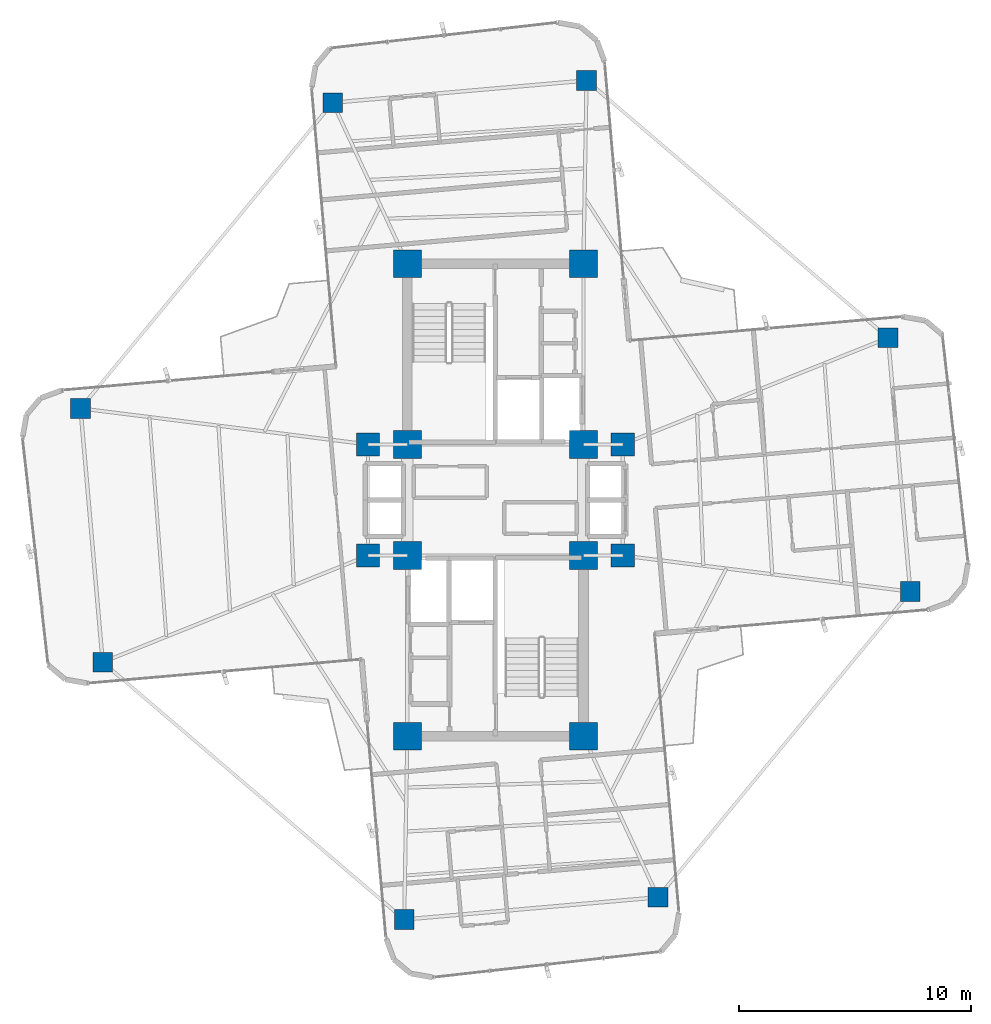
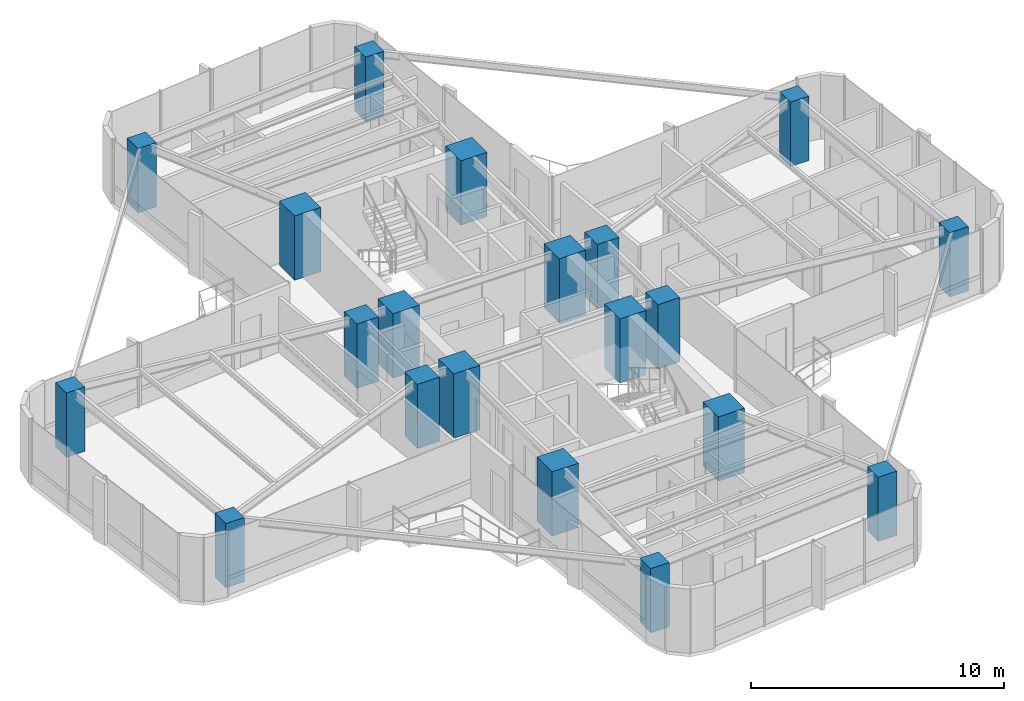
# One storey, part 1 of 24: 20 columns.
"""IFC4 building model written with IfcOpenShell, lengths in metres."""

import ifcopenshell
import ifcopenshell.guid

model = None  # the IFC model being written
_history = None  # IfcOwnerHistory: only IFC2X3 demands one
_inside = {}  # id of a spatial element -> (the spatial element, [elements in it])
_under = {}  # id of a project, library or spatial element -> (it, [spatial elements below it])
_declared = {}  # id of a project -> (the project, [libraries it declares])
_typed = {}  # id of a type object -> (the type object, [elements of that type])
_made_of = {}  # id of a material, layer set ... -> (it, [elements and type objects made of it])


def new_model(schema):
    """Start an empty IFC model of exactly this schema.

    Asked for "IFC4X3", IfcOpenShell would pick the latest addendum, in which some entities
    have other attributes; the version numbers below select the first issue.
    IFC2X3 requires an IfcOwnerHistory on every rooted entity: one is made here for all.
    """
    global model, _history
    if schema == "IFC4X3":
        model = ifcopenshell.file(schema_version=(4, 3, 0, 0))
    else:
        model = ifcopenshell.file(schema=schema)
    _inside.clear()
    _under.clear()
    _declared.clear()
    _typed.clear()
    _made_of.clear()
    _history = None
    if model.schema == "IFC2X3":
        org = make("IfcOrganization", Name="unknown")
        user = make(
            "IfcPersonAndOrganization",
            ThePerson=make("IfcPerson", FamilyName="unknown"),
            TheOrganization=org,
        )
        app = make(
            "IfcApplication",
            ApplicationDeveloper=org,
            Version="unknown",
            ApplicationFullName="unknown",
            ApplicationIdentifier="unknown",
        )
        _history = make(
            "IfcOwnerHistory",
            OwningUser=user,
            OwningApplication=app,
            ChangeAction="ADDED",
            CreationDate=0,
        )
    return model


def make(cls, **values):
    """One entity of the class cls with the attributes given. An attribute that is None is left unset."""
    return model.create_entity(
        cls, **{name: value for name, value in values.items() if value is not None}
    )


def rooted(cls, **values):
    """An entity with a GlobalId (a new one), such as an element, a storey or a relation."""
    return make(cls, GlobalId=ifcopenshell.guid.new(), OwnerHistory=_history, **values)


def si_unit(unit_type, name, prefix=None):
    """IfcSIUnit, for example si_unit("LENGTHUNIT", "METRE", prefix="MILLI")."""
    return make("IfcSIUnit", UnitType=unit_type, Prefix=prefix, Name=name)


def assignment(units):
    """IfcUnitAssignment: the units of a project."""
    return None if units is None else make("IfcUnitAssignment", Units=units)


def point(xyz):
    """IfcCartesianPoint."""
    return None if xyz is None else make("IfcCartesianPoint", Coordinates=xyz)


def direction(xyz):
    """IfcDirection."""
    return None if xyz is None else make("IfcDirection", DirectionRatios=xyz)


def frame(location, z_axis=None, x_axis=None):
    """IfcAxis2Placement3D, a coordinate frame: its origin and axes. An axis left out is left unset."""
    return make(
        "IfcAxis2Placement3D",
        Location=point(location),
        Axis=direction(z_axis),
        RefDirection=direction(x_axis),
    )


def frame_2d(location, x_axis=None):
    """IfcAxis2Placement2D, a coordinate frame in the plane: its origin and x axis."""
    return make(
        "IfcAxis2Placement2D", Location=point(location), RefDirection=direction(x_axis)
    )


def origin():
    """The frame at (0, 0, 0) with its axes left unset."""
    return frame((0.0, 0.0, 0.0))


def origin_2d():
    """The frame at (0, 0) in the plane with its x axis left unset."""
    return frame_2d((0.0, 0.0))


def place(relative_to, where):
    """IfcLocalPlacement: puts the frame where relative to a parent placement (None: the world)."""
    return make(
        "IfcLocalPlacement", PlacementRelTo=relative_to, RelativePlacement=where
    )


def context(
    kind, dimensions, precision=None, world=None, true_north=None, identifier=None
):
    """IfcGeometricRepresentationContext, for example the 3D "Model" context."""
    return make(
        "IfcGeometricRepresentationContext",
        ContextIdentifier=identifier,
        ContextType=kind,
        CoordinateSpaceDimension=dimensions,
        Precision=precision,
        WorldCoordinateSystem=world,
        TrueNorth=true_north,
    )


def subcontext(parent, identifier, kind, view, scale=None):
    """IfcGeometricRepresentationSubContext, for example "Body" below "Model"."""
    return make(
        "IfcGeometricRepresentationSubContext",
        ContextIdentifier=identifier,
        ContextType=kind,
        ParentContext=parent,
        TargetScale=scale,
        TargetView=view,
    )


def project(units=None, contexts=None):
    """IfcProject with its units and contexts."""
    return rooted(
        "IfcProject",
        Name="project",
        RepresentationContexts=contexts,
        UnitsInContext=assignment(units),
    )


def spatial(cls, under=None, at=None, **own):
    """A site, building, storey or space (cls), placed at a placement, below another one or the project."""
    s = rooted(cls, ObjectPlacement=at, **own)
    if under is not None:
        _under.setdefault(under.id(), (under, []))[1].append(s)
    return s


def profile(cls, at=None, kind="AREA", **sizes):
    """A parametric profile (cls). Its sizes go by their IFC names, for example OverallWidth=200.0."""
    return make(cls, ProfileType=kind, Position=at, **sizes)


def rectangle(**sizes):
    """IfcRectangleProfileDef."""
    return profile("IfcRectangleProfileDef", **sizes)


def extrude(swept, where, along, depth):
    """IfcExtrudedAreaSolid: the profile swept, set in the frame where, extruded along a direction by depth."""
    return make(
        "IfcExtrudedAreaSolid",
        SweptArea=swept,
        Position=where,
        ExtrudedDirection=direction(along),
        Depth=depth,
    )


def shape(context_of_items, identifier, shape_type, items):
    """IfcShapeRepresentation: the items that make up one representation, for example the "Body"."""
    return make(
        "IfcShapeRepresentation",
        ContextOfItems=context_of_items,
        RepresentationIdentifier=identifier,
        RepresentationType=shape_type,
        Items=items,
    )


def source(mapping_origin, context_of_items, identifier, shape_type, items):
    """IfcRepresentationMap: a shape defined once, which mapped items show again and again."""
    return make(
        "IfcRepresentationMap",
        MappingOrigin=mapping_origin,
        MappedRepresentation=shape(context_of_items, identifier, shape_type, items),
    )


def transform(
    local_origin,
    x_axis=None,
    y_axis=None,
    z_axis=None,
    scale=None,
    scale2=None,
    scale3=None,
    uniform=True,
):
    """IfcCartesianTransformationOperator3D, or its non-uniform kind. x_axis, y_axis, z_axis: its Axis1, 2, 3."""
    if uniform:
        return make(
            "IfcCartesianTransformationOperator3D",
            Axis1=direction(x_axis),
            Axis2=direction(y_axis),
            LocalOrigin=point(local_origin),
            Scale=scale,
            Axis3=direction(z_axis),
        )
    return make(
        "IfcCartesianTransformationOperator3DnonUniform",
        Axis1=direction(x_axis),
        Axis2=direction(y_axis),
        LocalOrigin=point(local_origin),
        Scale=scale,
        Axis3=direction(z_axis),
        Scale2=scale2,
        Scale3=scale3,
    )


def mapped(mapping_source, mapping_target):
    """IfcMappedItem: shows the shape of a source again, moved by a transform."""
    return make(
        "IfcMappedItem", MappingSource=mapping_source, MappingTarget=mapping_target
    )


def material(Name=None, Category=None):
    """IfcMaterial."""
    return make("IfcMaterial", Name=Name, Category=Category)


def material_profile(
    of_material, cross_section, Name=None, Category=None, Priority=None
):
    """IfcMaterialProfile: a cross section and its material."""
    return make(
        "IfcMaterialProfile",
        Name=Name,
        Material=of_material,
        Profile=cross_section,
        Priority=Priority,
        Category=Category,
    )


def profile_set(profiles, Name=None, composite=None):
    """IfcMaterialProfileSet."""
    return make(
        "IfcMaterialProfileSet",
        Name=Name,
        MaterialProfiles=profiles,
        CompositeProfile=composite,
    )


def made_of(thing, what):
    """Note that an element or type object is made of a material, layer set ...; save() writes the relation."""
    if what is not None:
        _made_of.setdefault(what.id(), (what, []))[1].append(thing)
    return thing


def type_object(cls, material=None, **own):
    """A type object (cls), such as IfcWallType, which elements share."""
    return made_of(rooted(cls, **own), material)


def element(
    cls,
    number,
    at=None,
    inside=None,
    cuts=None,
    type_object=None,
    material=None,
    context=None,
    identifier="Body",
    shape_type=None,
    held_by="IfcProductDefinitionShape",
    body=None,
    shapes=None,
    **own,
):
    """One element of the class cls, such as IfcWall. Its Tag is "e" and its number.

    at: its placement. inside: the storey or other place that contains it. cuts: it is an
    opening in that element (IfcRelVoidsElement). A single representation is given by context,
    identifier, shape_type and body (its items); several are given by shapes. held_by: the class
    of the entity that holds the representations. save() writes the other relations.
    """
    e = rooted(cls, Tag="e%d" % number, ObjectPlacement=at, **own)
    if body is not None:
        shapes = [shape(context, identifier, shape_type, body)]
    if shapes is not None:
        e.Representation = make(held_by, Representations=shapes)
    if inside is not None:
        _inside.setdefault(inside.id(), (inside, []))[1].append(e)
    if cuts is not None:
        rooted(
            "IfcRelVoidsElement", RelatingBuildingElement=cuts, RelatedOpeningElement=e
        )
    if type_object is not None:
        _typed.setdefault(type_object.id(), (type_object, []))[1].append(e)
    return made_of(e, material)


def aggregate(whole, parts):
    """IfcRelAggregates: a whole, such as a stair, and the parts it consists of."""
    return rooted("IfcRelAggregates", RelatingObject=whole, RelatedObjects=parts)


def save(model, path):
    """Write the relations noted so far, then the file.

    IfcRelAggregates (storeys below a building ...), IfcRelContainedInSpatialStructure (elements
    in a storey), IfcRelDefinesByType, IfcRelAssociatesMaterial and IfcRelDeclares: one each for
    every whole, place, type object, material and project.
    """
    for whole, parts in _under.values():
        aggregate(whole, parts)
    for where, things in _inside.values():
        rooted(
            "IfcRelContainedInSpatialStructure",
            RelatedElements=things,
            RelatingStructure=where,
        )
    for kind, things in _typed.values():
        rooted("IfcRelDefinesByType", RelatedObjects=things, RelatingType=kind)
    for what, things in _made_of.values():
        rooted("IfcRelAssociatesMaterial", RelatedObjects=things, RelatingMaterial=what)
    for by, libraries in _declared.values():
        rooted("IfcRelDeclares", RelatingContext=by, RelatedDefinitions=libraries)
    model.write(path)


model = new_model("IFC4")

# Units and contexts
model_context = context("Model", 3, precision=1e-05, world=origin(), true_north=direction((0.0, 1.0)))
body_context = subcontext(model_context, "Body", "Model", "MODEL_VIEW")
ifc_project = project(units=[si_unit("LENGTHUNIT", "METRE"), si_unit("AREAUNIT", "SQUARE_METRE"), si_unit("VOLUMEUNIT", "CUBIC_METRE"), si_unit("PLANEANGLEUNIT", "RADIAN"), si_unit("MASSUNIT", "GRAM", prefix="KILO")], contexts=[model_context])

# Site, building, storey
site_placement = place(None, origin())
site = spatial("IfcSite", under=ifc_project, at=site_placement, CompositionType="ELEMENT")
building_placement = place(site_placement, origin())
building = spatial("IfcBuilding", under=site, at=building_placement, Name="Sahyath Konkavel Grand Hotel", CompositionType="ELEMENT")
storey_placement = place(building_placement, frame((0.0, 0.0, 164.0)))
storey = spatial("IfcBuildingStorey", under=building, at=storey_placement, Name="L45", CompositionType="ELEMENT", Elevation=164.0)

# Columns
ifc_material_1 = material(Name="Concrete C50/60", Category="concrete")
ifc_material_profile_1 = material_profile(ifc_material_1, rectangle(XDim=1.199951171875, YDim=1.199951171875, at=origin_2d()), Name="RC 1200x1200")
ifc_profile_set_1 = profile_set([ifc_material_profile_1], Name="Concrete C50/60")
column_type_1 = type_object("IfcColumnType", Name="COL-RC1200", PredefinedType="COLUMN", material=ifc_profile_set_1)
shared_shape_1 = source(origin(), body_context, "Body", "SweptSolid", [
    extrude(rectangle(XDim=1.199951171875, YDim=1.199951171875, at=origin_2d()), origin(), (0.0, 0.0, 1.0), 3.110107421875),
])
for number, where, z_axis, x_axis, name in (
    (1, (-3.800048828125, 2.39990234375, 0.0), (0.0, 0.0, 1.0), (1.0, 0.0, 0.0), "L45 Core Boundary Column NC-SW"),
    (2, (3.800048828125, 2.39990234375, 0.0), (0.0, 0.0, 1.0), (1.0, 0.0, 0.0), "L45 Core Boundary Column NC-SE"),
    (3, (-3.800048828125, 10.199951171875, 0.0), (0.0, 0.0, 1.0), (1.0, 0.0, 0.0), "L45 Core Boundary Column NC-NW"),
    (4, (3.800048828125, 10.199951171875, 0.0), (0.0, 0.0, 1.0), (1.0, 0.0, 0.0), "L45 Core Boundary Column NC-NE"),
    (5, (-3.800048828125, -2.39990234375, 0.0), (0.0, 0.0, 1.0), (1.0, 0.0, 0.0), "L45 Core Boundary Column SC-NW"),
    (6, (3.800048828125, -2.39990234375, 0.0), (0.0, 0.0, 1.0), (1.0, 0.0, 0.0), "L45 Core Boundary Column SC-NE"),
    (7, (-3.800048828125, -10.199951171875, 0.0), (0.0, 0.0, 1.0), (1.0, 0.0, 0.0), "L45 Core Boundary Column SC-SW"),
    (8, (3.800048828125, -10.199951171875, 0.0), (0.0, 0.0, 1.0), (1.0, 0.0, 0.0), "L45 Core Boundary Column SC-SE"),
):
    element("IfcColumn", number, at=place(storey_placement, frame(where, z_axis=z_axis, x_axis=x_axis)), inside=storey, type_object=column_type_1, Name=name, PredefinedType="COLUMN", context=body_context, shape_type="MappedRepresentation", body=[
        mapped(shared_shape_1, transform((0.0, 0.0, 0.0), scale=1.0)),
    ])
ifc_material_profile_2 = material_profile(ifc_material_1, rectangle(XDim=1.0, YDim=1.0, at=origin_2d()), Name="RC 1000x1000")
ifc_profile_set_2 = profile_set([ifc_material_profile_2], Name="Concrete C50/60")
column_type_2 = type_object("IfcColumnType", Name="COL-RC1000", PredefinedType="COLUMN", material=ifc_profile_set_2)
shared_shape_2 = source(origin(), body_context, "Body", "SweptSolid", [
    extrude(rectangle(XDim=1.0, YDim=1.0, at=origin_2d()), origin(), (0.0, 0.0, 1.0), 3.110107421875),
])
for number, where, z_axis, x_axis, name in (
    (9, (5.5, 2.39990234375, 0.0), (0.0, 0.0, 1.0), (1.0, 0.0, 0.0), "L45 Central Spine Column HB-NE"),
    (10, (-5.5, 2.39990234375, 0.0), (0.0, 0.0, 1.0), (1.0, 0.0, 0.0), "L45 Central Spine Column HB-NW"),
    (11, (5.5, -2.39990234375, 0.0), (0.0, 0.0, 1.0), (1.0, 0.0, 0.0), "L45 Central Spine Column HB-SE"),
    (12, (-5.5, -2.39990234375, 0.0), (0.0, 0.0, 1.0), (1.0, 0.0, 0.0), "L45 Central Spine Column HB-SW"),
):
    element("IfcColumn", number, at=place(storey_placement, frame(where, z_axis=z_axis, x_axis=x_axis)), inside=storey, type_object=column_type_2, Name=name, PredefinedType="COLUMN", context=body_context, shape_type="MappedRepresentation", body=[
        mapped(shared_shape_2, transform((0.0, 0.0, 0.0), scale=1.0)),
    ])
ifc_material_2 = material(Name="Concrete C40/50", Category="concrete")
ifc_material_profile_3 = material_profile(ifc_material_2, rectangle(XDim=0.85009765625, YDim=0.85009765625, at=origin_2d()), Name="RC 850x850")
ifc_profile_set_3 = profile_set([ifc_material_profile_3], Name="Concrete C40/50")
column_type_3 = type_object("IfcColumnType", Name="COL-RC850", PredefinedType="COLUMN", material=ifc_profile_set_3)
shared_shape_3 = source(origin(), body_context, "Body", "SweptSolid", [
    extrude(rectangle(XDim=0.85009765625, YDim=0.85009765625, at=origin_2d()), origin(), (0.0, 0.0, 1.0), 3.110107421875),
])
for number, where, z_axis, x_axis, name in (
    (13, (17.912841796875, -3.953857421875, 0.0), (0.0, 0.0, 1.0), (1.0, 0.0, 0.0), "L45 Cruciform Wing Column WC-EA"),
    (14, (16.9541015625, 7.00439453125, 0.0), (0.0, 0.0, 1.0), (1.0, 0.0, 0.0), "L45 Cruciform Wing Column WC-EB"),
    (15, (3.936279296875, 18.112060546875, 0.0), (0.0, 0.0, 1.0), (1.0, 0.0, 0.0), "L45 Cruciform Wing Column WC-NA"),
    (16, (-7.021728515625, 17.1533203125, 0.0), (0.0, 0.0, 1.0), (1.0, 0.0, 0.0), "L45 Cruciform Wing Column WC-NB"),
    (17, (-17.912841796875, 3.953857421875, 0.0), (0.0, 0.0, 1.0), (1.0, 0.0, 0.0), "L45 Cruciform Wing Column WC-WA"),
    (18, (-16.9541015625, -7.00439453125, 0.0), (0.0, 0.0, 1.0), (1.0, 0.0, 0.0), "L45 Cruciform Wing Column WC-WB"),
    (19, (-3.936279296875, -18.112060546875, 0.0), (0.0, 0.0, 1.0), (1.0, 0.0, 0.0), "L45 Cruciform Wing Column WC-SA"),
    (20, (7.021728515625, -17.1533203125, 0.0), (0.0, 0.0, 1.0), (1.0, 0.0, 0.0), "L45 Cruciform Wing Column WC-SB"),
):
    element("IfcColumn", number, at=place(storey_placement, frame(where, z_axis=z_axis, x_axis=x_axis)), inside=storey, type_object=column_type_3, Name=name, PredefinedType="COLUMN", context=body_context, shape_type="MappedRepresentation", body=[
        mapped(shared_shape_3, transform((0.0, 0.0, 0.0), scale=1.0)),
    ])

save(model, "model.ifc")
